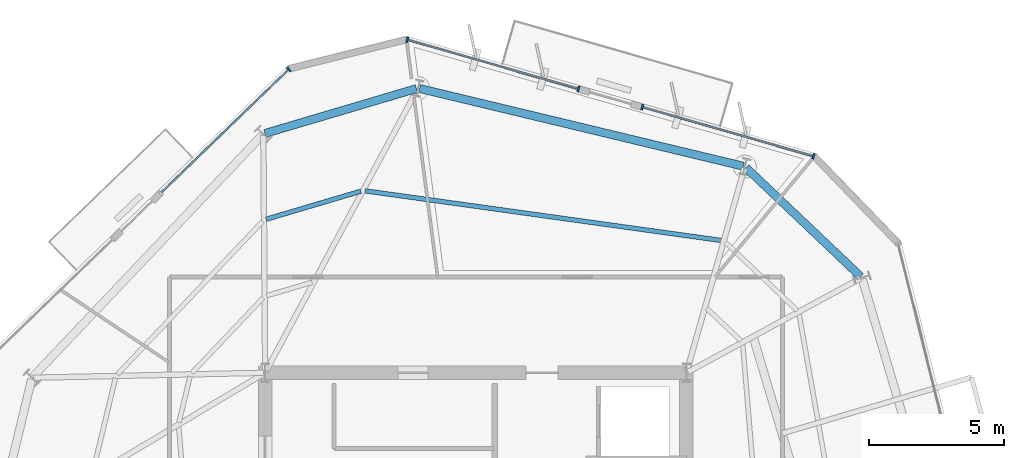
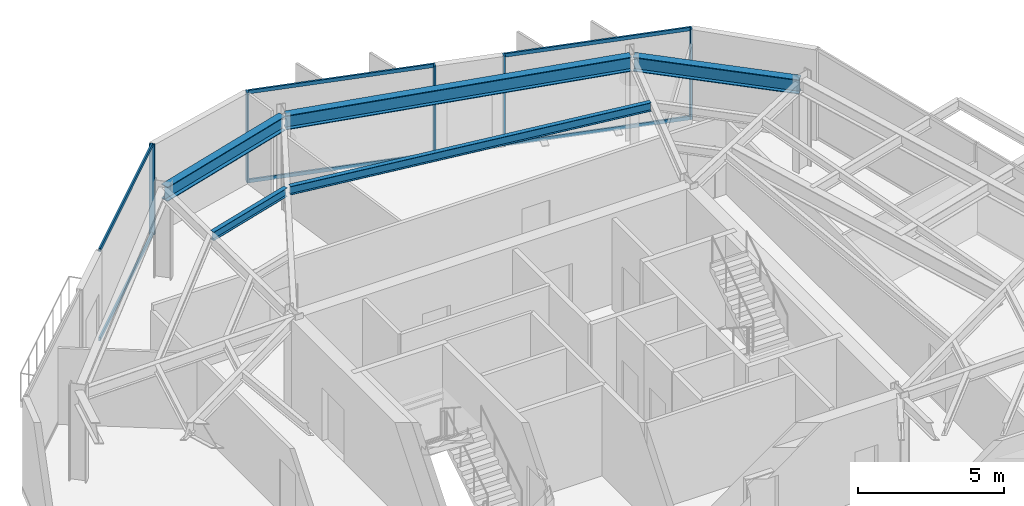
# One storey, part 5 of 10: 11 members, 5 beams, 3 elements without a shape of their own.
"""IFC4 building model written with IfcOpenShell, lengths in metres."""

from ifc_helpers import new_model, si_unit, direction, frame, origin, origin_2d, place, context, subcontext, project, spatial, rectangle, i_section, extrude, material, layer, layer_set, material_profile, profile_set, type_object, element, aggregate, save


model = new_model("IFC4")

# Units and contexts
model_context = context("Model", 3, precision=1e-05, world=origin(), true_north=direction((0.0, 1.0)))
body_context = subcontext(model_context, "Body", "Model", "MODEL_VIEW")
ifc_project = project(units=[si_unit("LENGTHUNIT", "METRE"), si_unit("AREAUNIT", "SQUARE_METRE"), si_unit("VOLUMEUNIT", "CUBIC_METRE"), si_unit("PLANEANGLEUNIT", "RADIAN"), si_unit("MASSUNIT", "GRAM", prefix="KILO")], contexts=[model_context])

# Site, building, storey
site_placement = place(None, origin())
site = spatial("IfcSite", under=ifc_project, at=site_placement, CompositionType="ELEMENT")
building_placement = place(site_placement, origin())
building = spatial("IfcBuilding", under=site, at=building_placement, Name="Kranzbogen Civic Tower", CompositionType="ELEMENT")
storey_placement = place(building_placement, frame((0.0, 0.0, 200.800048828125)))
storey = spatial("IfcBuildingStorey", under=building, at=storey_placement, Name="L48", CompositionType="ELEMENT", Elevation=200.800048828125)

# Curtain wall, members
ifc_material_1 = material(Name="Pale Anodised Aluminium", Category="aluminium")
ifc_layer = layer(ifc_material_1, 0.219970703125, Name="Pale Anodised Aluminium")
ifc_layer_set = layer_set([ifc_layer], Name="Pale Anodised Aluminium")
curtain_wall_type = type_object("IfcCurtainWallType", Name="Zone 3 Stick Curtain Wall System CW-04", PredefinedType="USERDEFINED", material=ifc_layer_set)
curtain_wall_1_placement = place(storey_placement, origin())
curtain_wall_1 = element("IfcCurtainWall", 1, at=curtain_wall_1_placement, inside=storey, type_object=curtain_wall_type, Name="L48 curtain wall CW-L48-F1-S1", ObjectType="STICK CURTAIN WALL", PredefinedType="USERDEFINED")
ifc_material_profile_1 = material_profile(ifc_material_1, rectangle(XDim=0.070068359375, YDim=0.199951171875, at=origin_2d()), Name="ALU-M 70x200")
ifc_profile_set_1 = profile_set([ifc_material_profile_1], Name="Pale Anodised Aluminium")
member_type_1 = type_object("IfcMemberType", Name="Curtain Wall Mullion ALU-M 70x200", PredefinedType="MULLION", material=ifc_profile_set_1)
member_1_placement = place(storey_placement, frame((37.502197265625, 40.21533203125, 0.0), z_axis=(0.0, 0.0, 1.0), x_axis=(-0.961262631225, 0.275634094063, 0.0)))
member_1 = element("IfcMember", 2, at=member_1_placement, type_object=member_type_1, Name="CW-04 mullion 1", PredefinedType="MULLION", context=body_context, shape_type="SweptSolid", body=[
    extrude(rectangle(XDim=0.070068359375, YDim=0.199951171875, at=origin_2d()), origin(), (0.0, 0.0, 1.0), 3.780029296875),
])
member_2_placement = place(storey_placement, frame((31.163818359375, 42.03271484375, 0.0), z_axis=(0.0, 0.0, 1.0), x_axis=(-0.961262631225, 0.275634094063, 0.0)))
member_2 = element("IfcMember", 3, at=member_2_placement, type_object=member_type_1, Name="CW-04 mullion 2", PredefinedType="MULLION", context=body_context, shape_type="SweptSolid", body=[
    extrude(rectangle(XDim=0.070068359375, YDim=0.199951171875, at=origin_2d()), origin(), (0.0, 0.0, 1.0), 3.780029296875),
])

curtain_wall_2_placement = place(storey_placement, origin())
curtain_wall_2 = element("IfcCurtainWall", 4, at=curtain_wall_2_placement, inside=storey, type_object=curtain_wall_type, Name="L48 curtain wall CW-L48-F1-S2", ObjectType="STICK CURTAIN WALL", PredefinedType="USERDEFINED")
member_3_placement = place(storey_placement, frame((28.799072265625, 42.710205078125, 0.0), z_axis=(0.0, 0.0, 1.0), x_axis=(-0.961274046996, 0.275594278919, 0.0)))
member_3 = element("IfcMember", 5, at=member_3_placement, type_object=member_type_1, Name="CW-04 mullion 1", PredefinedType="MULLION", context=body_context, shape_type="SweptSolid", body=[
    extrude(rectangle(XDim=0.070068359375, YDim=0.199951171875, at=origin_2d()), origin(), (0.0, 0.0, 1.0), 3.780029296875),
])
member_4_placement = place(storey_placement, frame((22.459716796875, 44.52783203125, 0.0), z_axis=(0.0, 0.0, 1.0), x_axis=(-0.961274046996, 0.275594278919, 0.0)))
member_4 = element("IfcMember", 6, at=member_4_placement, type_object=member_type_1, Name="CW-04 mullion 2", PredefinedType="MULLION", context=body_context, shape_type="SweptSolid", body=[
    extrude(rectangle(XDim=0.070068359375, YDim=0.199951171875, at=origin_2d()), origin(), (0.0, 0.0, 1.0), 3.780029296875),
])

# Curtain wall, member
curtain_wall_3_placement = place(storey_placement, origin())
curtain_wall_3 = element("IfcCurtainWall", 7, at=curtain_wall_3_placement, inside=storey, type_object=curtain_wall_type, Name="L48 curtain wall CW-L48-F2-S1", ObjectType="STICK CURTAIN WALL", PredefinedType="USERDEFINED")
member_5_placement = place(storey_placement, frame((18.074462890625, 43.43505859375, 0.0), z_axis=(0.0, 0.0, 1.0), x_axis=(-0.719321190897, -0.694677640583, 0.0)))
member_5 = element("IfcMember", 8, at=member_5_placement, type_object=member_type_1, Name="CW-04 mullion 1", PredefinedType="MULLION", context=body_context, shape_type="SweptSolid", body=[
    extrude(rectangle(XDim=0.070068359375, YDim=0.199951171875, at=origin_2d()), origin(), (0.0, 0.0, 1.0), 3.780029296875),
])

# Member
ifc_material_profile_2 = material_profile(ifc_material_1, rectangle(XDim=0.070068359375, YDim=0.14990234375, at=origin_2d()), Name="ALU-T 70x150")
ifc_profile_set_2 = profile_set([ifc_material_profile_2], Name="Pale Anodised Aluminium")
member_type_2 = type_object("IfcMemberType", Name="Curtain Wall Transom ALU-T 70x150", PredefinedType="USERDEFINED", material=ifc_profile_set_2)
member_6_placement = place(storey_placement, frame((37.473388671875, 40.2236328125, 0.030029296875), z_axis=(-0.961269732615, 0.275609327053, 0.0), x_axis=(-0.275609327053, -0.961269732615, 0.0)))
member_6 = element("IfcMember", 9, at=member_6_placement, type_object=member_type_2, Name="CW-04 transom 1.1", ObjectType="TRANSOM", PredefinedType="USERDEFINED", context=body_context, shape_type="SweptSolid", body=[
    extrude(rectangle(XDim=0.070068359375, YDim=0.14990234375, at=origin_2d()), origin(), (0.0, 0.0, 1.0), 6.533935546875),
])

member_7_placement = place(storey_placement, frame((37.473388671875, 40.2236328125, 3.75), z_axis=(-0.961269732615, 0.275609327053, 0.0), x_axis=(-0.275609327053, -0.961269732615, 0.0)))
member_7 = element("IfcMember", 10, at=member_7_placement, type_object=member_type_2, Name="CW-04 transom 1.2", ObjectType="TRANSOM", PredefinedType="USERDEFINED", context=body_context, shape_type="SweptSolid", body=[
    extrude(rectangle(XDim=0.070068359375, YDim=0.14990234375, at=origin_2d()), origin(), (0.0, 0.0, 1.0), 6.533935546875),
])

aggregate(curtain_wall_1, [member_1, member_2, member_6, member_7])

member_8_placement = place(storey_placement, frame((28.770263671875, 42.718505859375, 0.030029296875), z_axis=(-0.96126834824, 0.275614155426, 0.0), x_axis=(-0.275614155426, -0.96126834824, 0.0)))
member_8 = element("IfcMember", 11, at=member_8_placement, type_object=member_type_2, Name="CW-04 transom 1.1", ObjectType="TRANSOM", PredefinedType="USERDEFINED", context=body_context, shape_type="SweptSolid", body=[
    extrude(rectangle(XDim=0.070068359375, YDim=0.14990234375, at=origin_2d()), origin(), (0.0, 0.0, 1.0), 6.53466796875),
])

member_9_placement = place(storey_placement, frame((28.770263671875, 42.718505859375, 3.75), z_axis=(-0.96126834824, 0.275614155426, 0.0), x_axis=(-0.275614155426, -0.96126834824, 0.0)))
member_9 = element("IfcMember", 12, at=member_9_placement, type_object=member_type_2, Name="CW-04 transom 1.2", ObjectType="TRANSOM", PredefinedType="USERDEFINED", context=body_context, shape_type="SweptSolid", body=[
    extrude(rectangle(XDim=0.070068359375, YDim=0.14990234375, at=origin_2d()), origin(), (0.0, 0.0, 1.0), 6.53466796875),
])

aggregate(curtain_wall_2, [member_3, member_4, member_8, member_9])

member_10_placement = place(storey_placement, frame((18.052734375, 43.414306640625, 0.030029296875), z_axis=(-0.719328070207, -0.694670517161, 0.0), x_axis=(0.694670517161, -0.719328070207, 0.0)))
member_10 = element("IfcMember", 13, at=member_10_placement, type_object=member_type_2, Name="CW-04 transom 1.1", ObjectType="TRANSOM", PredefinedType="USERDEFINED", context=body_context, shape_type="SweptSolid", body=[
    extrude(rectangle(XDim=0.070068359375, YDim=0.14990234375, at=origin_2d()), origin(), (0.0, 0.0, 1.0), 6.534912109375),
])

member_11_placement = place(storey_placement, frame((18.052734375, 43.414306640625, 3.75), z_axis=(-0.719328070207, -0.694670517161, 0.0), x_axis=(0.694670517161, -0.719328070207, 0.0)))
member_11 = element("IfcMember", 14, at=member_11_placement, type_object=member_type_2, Name="CW-04 transom 1.2", ObjectType="TRANSOM", PredefinedType="USERDEFINED", context=body_context, shape_type="SweptSolid", body=[
    extrude(rectangle(XDim=0.070068359375, YDim=0.14990234375, at=origin_2d()), origin(), (0.0, 0.0, 1.0), 6.534912109375),
])

aggregate(curtain_wall_3, [member_5, member_10, member_11])

# Beams
ifc_material_2 = material(Name="Steel S355", Category="steel")
ifc_material_profile_3 = material_profile(ifc_material_2, i_section(OverallWidth=0.300048828125, OverallDepth=0.60009765625, WebThickness=0.015380859375, FlangeThickness=0.030029296875, at=origin_2d()), Name="HEB 600")
ifc_profile_set_3 = profile_set([ifc_material_profile_3], Name="Steel S355")
beam_type_1 = type_object("IfcBeamType", Name="Perimeter Tube Spandrel Beam HEB 600", PredefinedType="SPANDREL", material=ifc_profile_set_3)
beam_1_placement = place(storey_placement, frame((39.2490234375, 35.764892578125, 3.47998046875), z_axis=(-0.725245206788, 0.688490660816, 0.0), x_axis=(-0.688490660816, -0.725245206788, 0.0)))
element("IfcBeam", 15, at=beam_1_placement, inside=storey, type_object=beam_type_1, Name="L48 perimeter spandrel beam 07", PredefinedType="SPANDREL", context=body_context, shape_type="SweptSolid", body=[
    extrude(i_section(OverallWidth=0.300048828125, OverallDepth=0.60009765625, WebThickness=0.015380859375, FlangeThickness=0.030029296875, at=origin_2d()), origin(), (0.0, 0.0, 1.0), 5.85205078125),
])
beam_2_placement = place(storey_placement, frame((34.903076171875, 39.84912109375, 3.47998046875), z_axis=(-0.972377592092, 0.233413406637, 0.0), x_axis=(-0.233413406637, -0.972377592092, 0.0)))
element("IfcBeam", 16, at=beam_2_placement, inside=storey, type_object=beam_type_1, Name="L48 perimeter spandrel beam 08", PredefinedType="SPANDREL", context=body_context, shape_type="SweptSolid", body=[
    extrude(i_section(OverallWidth=0.300048828125, OverallDepth=0.60009765625, WebThickness=0.015380859375, FlangeThickness=0.030029296875, at=origin_2d()), origin(), (0.0, 0.0, 1.0), 12.32568359375),
])
beam_3_placement = place(storey_placement, frame((22.802001953125, 42.722900390625, 3.47998046875), z_axis=(-0.9588296723, -0.283981794341, 0.0), x_axis=(0.283981794341, -0.9588296723, 0.0)))
element("IfcBeam", 17, at=beam_3_placement, inside=storey, type_object=beam_type_1, Name="L48 perimeter spandrel beam 09", PredefinedType="SPANDREL", context=body_context, shape_type="SweptSolid", body=[
    extrude(i_section(OverallWidth=0.300048828125, OverallDepth=0.60009765625, WebThickness=0.015380859375, FlangeThickness=0.030029296875, at=origin_2d()), origin(), (0.0, 0.0, 1.0), 5.85205078125),
])
ifc_material_profile_4 = material_profile(ifc_material_2, i_section(OverallWidth=0.169921875, OverallDepth=0.360107421875, WebThickness=0.008056640625, FlangeThickness=0.0126953125, at=origin_2d()), Name="IPE 360")
ifc_profile_set_4 = profile_set([ifc_material_profile_4], Name="Steel S355")
beam_type_2 = type_object("IfcBeamType", Name="Secondary Composite Floor Joist IPE 360", PredefinedType="JOIST", material=ifc_profile_set_4)
beam_4_placement = place(storey_placement, frame((34.10400390625, 37.096923828125, 3.599853515625), z_axis=(-0.990445837232, 0.137902296968, 0.0), x_axis=(-0.137902296968, -0.990445837232, 0.0)))
element("IfcBeam", 18, at=beam_4_placement, inside=storey, type_object=beam_type_2, Name="L48 secondary floor joist 1.08", PredefinedType="JOIST", context=body_context, shape_type="SweptSolid", body=[
    extrude(i_section(OverallWidth=0.169921875, OverallDepth=0.360107421875, WebThickness=0.008056640625, FlangeThickness=0.0126953125, at=origin_2d()), origin(), (0.0, 0.0, 1.0), 13.329345703125),
])
beam_5_placement = place(storey_placement, frame((20.74609375, 38.923095703125, 3.599853515625), z_axis=(-0.958843823165, -0.283934011309, 0.0), x_axis=(0.283934011309, -0.958843823165, 0.0)))
element("IfcBeam", 19, at=beam_5_placement, inside=storey, type_object=beam_type_2, Name="L48 secondary floor joist 1.09", PredefinedType="JOIST", context=body_context, shape_type="SweptSolid", body=[
    extrude(i_section(OverallWidth=0.169921875, OverallDepth=0.360107421875, WebThickness=0.008056640625, FlangeThickness=0.0126953125, at=origin_2d()), origin(), (0.0, 0.0, 1.0), 3.662841796875),
])

save(model, "model.ifc")
